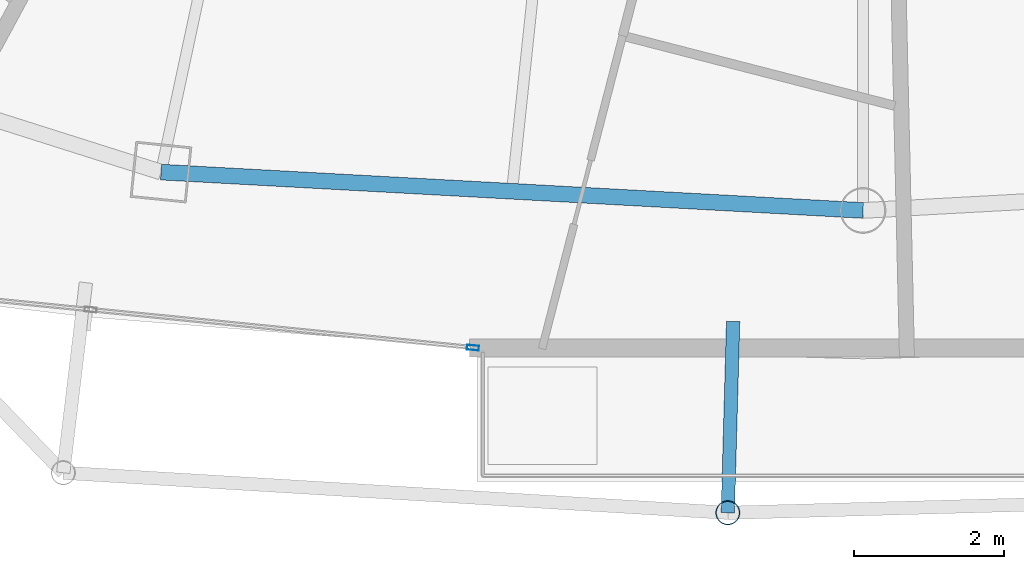
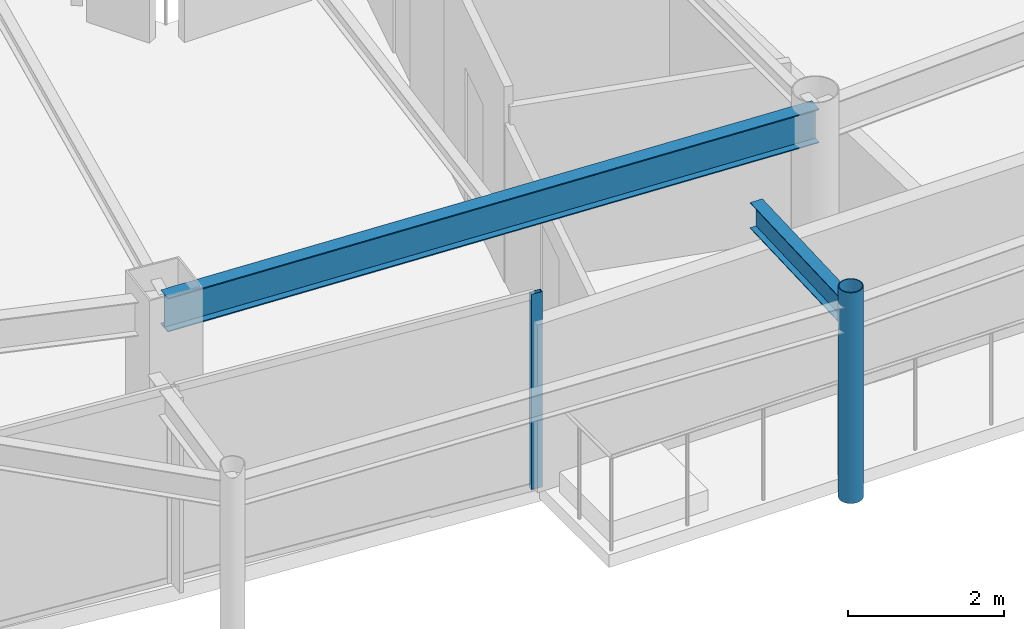
# One storey, part 7 of 30: 2 beams, 2 members, 1 element without a shape of its own.
"""IFC4 building model written with IfcOpenShell, lengths in metres."""

from ifc_helpers import new_model, si_unit, direction, frame, origin, origin_2d, place, context, subcontext, project, spatial, hollow_rectangle, hollow_circle, i_section, extrude, material, layer, layer_set, material_profile, profile_set, type_object, element, aggregate, save


model = new_model("IFC4")

# Units and contexts
model_context = context("Model", 3, precision=1e-05, world=origin(), true_north=direction((0.0, 1.0)))
body_context = subcontext(model_context, "Body", "Model", "MODEL_VIEW")
ifc_project = project(units=[si_unit("LENGTHUNIT", "METRE"), si_unit("AREAUNIT", "SQUARE_METRE"), si_unit("VOLUMEUNIT", "CUBIC_METRE"), si_unit("PLANEANGLEUNIT", "RADIAN"), si_unit("MASSUNIT", "GRAM", prefix="KILO")], contexts=[model_context])

# Site, building, storey
site_placement = place(None, origin())
site = spatial("IfcSite", under=ifc_project, at=site_placement, CompositionType="ELEMENT")
building_placement = place(site_placement, origin())
building = spatial("IfcBuilding", under=site, at=building_placement, Name="Orvanel Arch Residences", CompositionType="ELEMENT")
storey_placement = place(building_placement, frame((0.0, 0.0, 226.10009765625)))
storey = spatial("IfcBuildingStorey", under=building, at=storey_placement, Name="L64", CompositionType="ELEMENT", Elevation=226.10009765625)

# Curtain wall, member
ifc_material_1 = material(Name="Bronze-anodised aluminium AA6063-T6", Category="aluminium")
ifc_layer = layer(ifc_material_1, 0.175048828125)
ifc_layer_set = layer_set([ifc_layer], Name="Bronze-anodised aluminium AA6063-T6")
curtain_wall_type = type_object("IfcCurtainWallType", Name="CW4-HI-SYS", PredefinedType="NOTDEFINED", material=ifc_layer_set)
curtain_wall_placement = place(storey_placement, origin())
curtain_wall = element("IfcCurtainWall", 1, at=curtain_wall_placement, inside=storey, type_object=curtain_wall_type, Name="L64 CW4-HI-SYS Unitised Curtain Wall", PredefinedType="NOTDEFINED")
ifc_material_profile_1 = material_profile(ifc_material_1, hollow_rectangle(XDim=0.06494140625, YDim=0.159912109375, WallThickness=0.00390625, at=origin_2d()), Name="ALU160x65x4")
ifc_profile_set_1 = profile_set([ifc_material_profile_1], Name="Bronze-anodised aluminium AA6063-T6")
member_type_1 = type_object("IfcMemberType", Name="MUL-160x65", PredefinedType="MULLION", material=ifc_profile_set_1)
member_1_placement = place(storey_placement, frame((27.8037109375, 5.01611328125, 0.0), z_axis=(0.0, 0.0, 1.0), x_axis=(0.099032673027, 0.995084182204, 0.0)))
member_1 = element("IfcMember", 2, at=member_1_placement, type_object=member_type_1, Name="CW-S4 mullion 3", PredefinedType="MULLION", context=body_context, shape_type="SweptSolid", body=[
    extrude(hollow_rectangle(XDim=0.06494140625, YDim=0.159912109375, WallThickness=0.00390625, at=origin_2d()), origin(), (0.0, 0.0, 1.0), 3.059814453125),
])
aggregate(curtain_wall, [member_1])

# Beams
ifc_material_2 = material(Name="Structural steel AS/NZS 3679.1 Grade 300 (300 MPa)", Category="steel")
ifc_material_profile_2 = material_profile(ifc_material_2, i_section(OverallWidth=0.177978515625, OverallDepth=0.406005859375, WebThickness=0.0078125, FlangeThickness=0.0126953125, at=origin_2d()), Name="410UB59.7")
ifc_profile_set_2 = profile_set([ifc_material_profile_2], Name="Structural steel AS/NZS 3679.1 Grade 300 (300 MPa)")
beam_type_1 = type_object("IfcBeamType", Name="OB-410UB-EXT", PredefinedType="SPANDREL", material=ifc_profile_set_2)
beam_1_placement = place(storey_placement, frame((31.27001953125, 5.365966796875, 2.85693359375), z_axis=(-0.027860075025, -0.999611832773, 0.0), x_axis=(0.999611832773, -0.027860075025, 0.0)))
element("IfcBeam", 3, at=beam_1_placement, inside=storey, type_object=beam_type_1, Name="L64 Outer Frame Radial Tie Beam 06", PredefinedType="SPANDREL", context=body_context, shape_type="SweptSolid", body=[
    extrude(i_section(OverallWidth=0.177978515625, OverallDepth=0.406005859375, WebThickness=0.0078125, FlangeThickness=0.0126953125, at=origin_2d()), origin(), (0.0, 0.0, 1.0), 2.550048828125),
])
ifc_material_profile_3 = material_profile(ifc_material_2, i_section(OverallWidth=0.208984375, OverallDepth=0.532958984375, WebThickness=0.01025390625, FlangeThickness=0.015625, at=origin_2d()), Name="530UB92.4")
ifc_profile_set_3 = profile_set([ifc_material_profile_3], Name="Structural steel AS/NZS 3679.1 Grade 300 (300 MPa)")
beam_type_2 = type_object("IfcBeamType", Name="SP-530UB", PredefinedType="SPANDREL", material=ifc_profile_set_3)
beam_2_placement = place(storey_placement, frame((23.64892578125, 7.35498046875, 2.79296875), z_axis=(0.998510315598, -0.054563262768, 0.0), x_axis=(0.054563262768, 0.998510315598, 0.0)))
element("IfcBeam", 4, at=beam_2_placement, inside=storey, type_object=beam_type_2, Name="L64 Perimeter Spandrel Beam 03", PredefinedType="SPANDREL", context=body_context, shape_type="SweptSolid", body=[
    extrude(i_section(OverallWidth=0.208984375, OverallDepth=0.532958984375, WebThickness=0.01025390625, FlangeThickness=0.015625, at=origin_2d()), origin(), (0.0, 0.0, 1.0), 9.364990234375),
])

# Member
ifc_material_3 = material(Name="Structural steel AS/NZS 1163 C350L0 (Grade 350)", Category="steel")
ifc_material_profile_4 = material_profile(ifc_material_3, hollow_circle(Radius=0.162109375, WallThickness=0.0126953125, at=origin_2d()), Name="CHS324x12.7")
ifc_profile_set_4 = profile_set([ifc_material_profile_4], Name="Structural steel AS/NZS 1163 C350L0 (Grade 350)")
member_type_2 = type_object("IfcMemberType", Name="ST-324CHS-EXT", PredefinedType="STRUT", material=ifc_profile_set_4)
member_2_placement = place(storey_placement, frame((31.198974609375, 2.81689453125, 0.0), z_axis=(0.0, 0.0, 1.0), x_axis=(1.0, 0.0, 0.0)))
element("IfcMember", 5, at=member_2_placement, inside=storey, type_object=member_type_2, Name="L64 Outer Perimeter Frame Post 06", PredefinedType="STRUT", context=body_context, shape_type="SweptSolid", body=[
    extrude(hollow_circle(Radius=0.162109375, WallThickness=0.0126953125, at=origin_2d()), origin(), (0.0, 0.0, 1.0), 3.2998046875),
])

save(model, "model.ifc")
